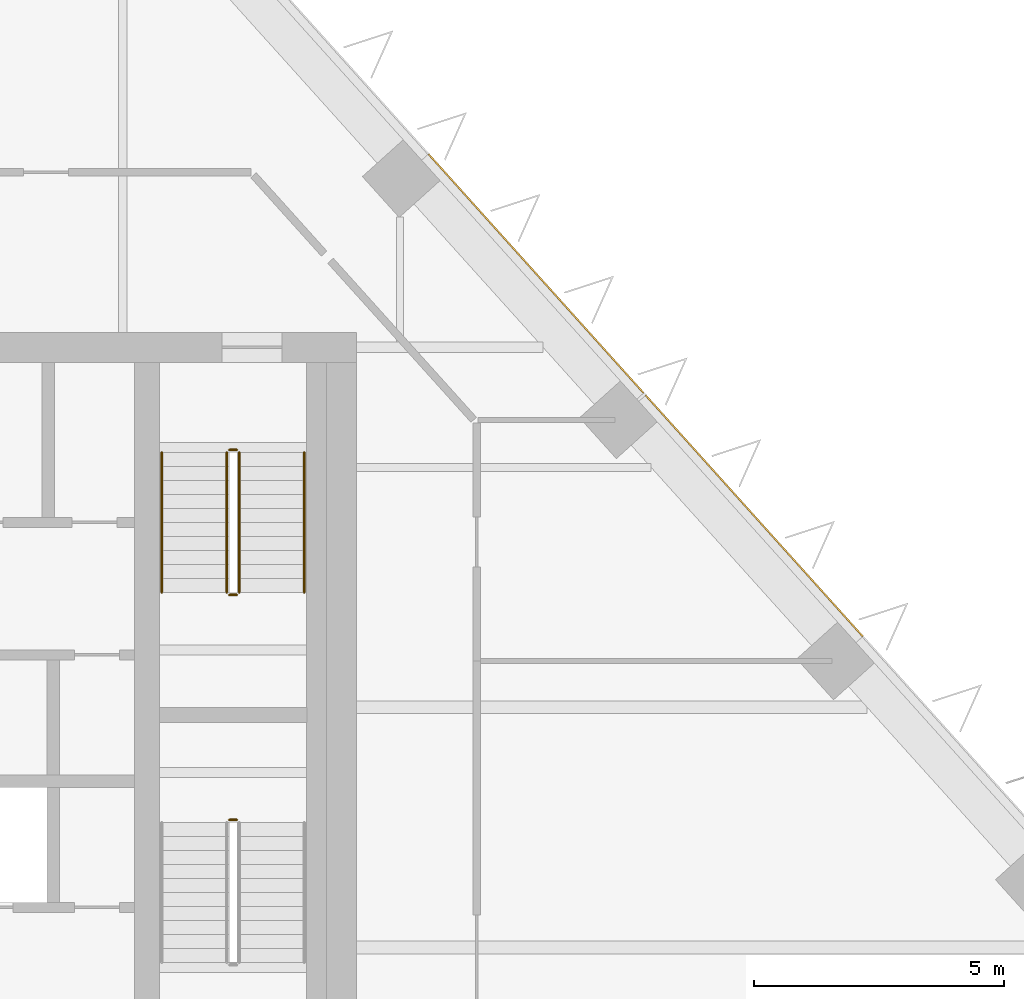
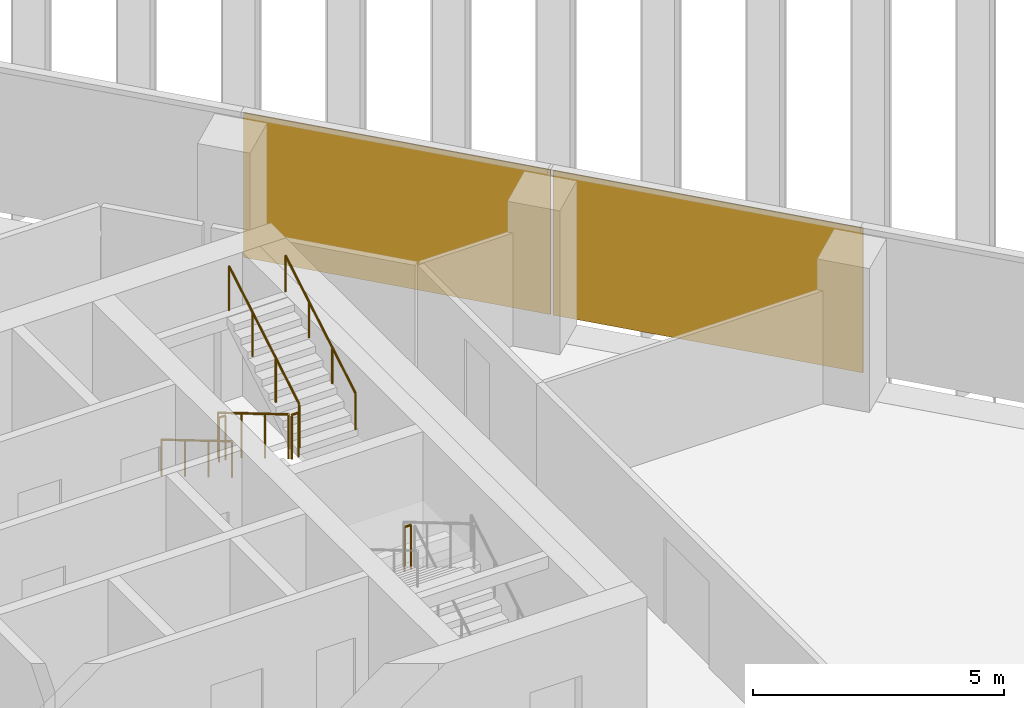
# One storey, part 15 of 18: 7 railings, 2 coverings, 1 element without a shape of its own.
"""IFC4 building model written with IfcOpenShell, lengths in metres."""

from ifc_helpers import new_model, si_unit, direction, frame, origin, origin_2d, place, context, subcontext, project, spatial, rectangle, circle, extrude, material, layer, layer_set, type_object, element, aggregate, save


model = new_model("IFC4")

# Units and contexts
model_context = context("Model", 3, precision=1e-05, world=origin(), true_north=direction((0.0, 1.0)))
body_context = subcontext(model_context, "Body", "Model", "MODEL_VIEW")
ifc_project = project(units=[si_unit("LENGTHUNIT", "METRE"), si_unit("AREAUNIT", "SQUARE_METRE"), si_unit("VOLUMEUNIT", "CUBIC_METRE"), si_unit("PLANEANGLEUNIT", "RADIAN"), si_unit("MASSUNIT", "GRAM", prefix="KILO")], contexts=[model_context])

# Site, building, storey
site_placement = place(None, origin())
site = spatial("IfcSite", under=ifc_project, at=site_placement, CompositionType="ELEMENT")
building_placement = place(site_placement, origin())
building = spatial("IfcBuilding", under=site, at=building_placement, Name="Isthmus Gate Tower", CompositionType="ELEMENT")
storey_placement = place(building_placement, frame((0.0, 0.0, 238.199951171875)))
storey = spatial("IfcBuildingStorey", under=building, at=storey_placement, Name="L60", CompositionType="ELEMENT", Elevation=238.199951171875)

# Curtain wall, coverings
ifc_material_1 = material(Name="Aluminium, pale champagne anodised", Category="aluminium")
ifc_layer_1 = layer(ifc_material_1, 0.199951171875)
ifc_layer_set_1 = layer_set([ifc_layer_1], Name="CW-1 UNITISED CURTAIN WALL 200 DEEP")
curtain_wall_type = type_object("IfcCurtainWallType", Name="CW-1 UNITISED CURTAIN WALL 200 DEEP", PredefinedType="NOTDEFINED", material=ifc_layer_set_1)
curtain_wall_placement = place(storey_placement, origin())
curtain_wall = element("IfcCurtainWall", 1, at=curtain_wall_placement, inside=storey, type_object=curtain_wall_type, Name="CW-1 NE L60", PredefinedType="NOTDEFINED")
ifc_material_2 = material(Name="Aluminium composite panel, pale champagne anodised", Category="aluminium")
ifc_layer_2 = layer(ifc_material_2, 0.031982421875)
ifc_layer_set_2 = layer_set([ifc_layer_2], Name="CW-1 PALE METAL PANEL 32")
covering_type = type_object("IfcCoveringType", Name="CW-1 PALE METAL PANEL 32", PredefinedType="CLADDING", material=ifc_layer_set_2)
covering_1_placement = place(storey_placement, frame((22.950927734375, 11.330810546875, 0.0), z_axis=(0.0, 0.0, 1.0), x_axis=(-0.669130606359, 0.743144825477, 0.0)))
covering_1 = element("IfcCovering", 2, at=covering_1_placement, type_object=covering_type, Name="CW-1 pale metal panel", PredefinedType="CLADDING", context=body_context, shape_type="SweptSolid", body=[
    extrude(rectangle(XDim=6.491943359375, YDim=0.031982421875, at=origin_2d()), origin(), (0.0, 0.0, 1.0), 3.52001953125),
])
covering_2_placement = place(storey_placement, frame((18.5869140625, 16.177734375, 0.0), z_axis=(0.0, 0.0, 1.0), x_axis=(-0.669130606359, 0.743144825477, 0.0)))
covering_2 = element("IfcCovering", 3, at=covering_2_placement, type_object=covering_type, Name="CW-1 pale metal panel", PredefinedType="CLADDING", context=body_context, shape_type="SweptSolid", body=[
    extrude(rectangle(XDim=6.431884765625, YDim=0.031982421875, at=origin_2d()), origin(), (0.0, 0.0, 1.0), 3.52001953125),
])
aggregate(curtain_wall, [covering_1, covering_2])

# Railings
ifc_material_3 = material(Name="Stainless steel balustrade", Category="steel")
railing_type_1 = type_object("IfcRailingType", Name="STAIR GUARD 1100", PredefinedType="GUARDRAIL", material=ifc_material_3)
railing_1_placement = place(storey_placement, frame((12.39990234375, 12.60009765625, 0.166015625)))
element("IfcRailing", 4, at=railing_1_placement, inside=storey, type_object=railing_type_1, Name="L60 ST2 stair guard 1", PredefinedType="GUARDRAIL", context=body_context, shape_type="SweptSolid", body=[
    extrude(circle(Radius=0.02392578125, at=origin_2d()), frame((0.0, 0.0, 1.076171875), z_axis=(0.0, -0.860339051648, 0.50972219513), x_axis=(1.0, 0.0, 0.0)), (0.0, 0.0, 1.0), 3.254638671875),
    extrude(circle(Radius=0.02099609375, at=origin_2d()), origin(), (0.0, 0.0, 1.0), 1.052001953125),
    extrude(circle(Radius=0.02099609375, at=origin_2d()), frame((0.0, -0.933349609375, 0.552978515625)), (0.0, 0.0, 1.0), 1.052001953125),
    extrude(circle(Radius=0.02099609375, at=origin_2d()), frame((0.0, -1.86669921875, 1.10595703125)), (0.0, 0.0, 1.0), 1.052001953125),
    extrude(circle(Radius=0.02099609375, at=origin_2d()), frame((0.0, -2.800048828125, 1.658935546875)), (0.0, 0.0, 1.0), 1.052001953125),
])
railing_2_placement = place(storey_placement, frame((12.449951171875, 9.75, 1.824951171875)))
element("IfcRailing", 5, at=railing_2_placement, inside=storey, type_object=railing_type_1, Name="L60 ST2 stair guard 2", PredefinedType="GUARDRAIL", context=body_context, shape_type="SweptSolid", body=[
    extrude(circle(Radius=0.02392578125, at=origin_2d()), frame((0.0, 0.0, 1.076171875), z_axis=(1.0, 0.0, 0.0), x_axis=(0.0, 1.0, 0.0)), (0.0, 0.0, 1.0), 0.150146484375),
    extrude(circle(Radius=0.02099609375, at=origin_2d()), origin(), (0.0, 0.0, 1.0), 1.052001953125),
    extrude(circle(Radius=0.02099609375, at=origin_2d()), frame((0.150146484375, 0.0, 0.0)), (0.0, 0.0, 1.0), 1.052001953125),
])
railing_3_placement = place(storey_placement, frame((12.64990234375, 9.800048828125, 1.990966796875)))
element("IfcRailing", 6, at=railing_3_placement, inside=storey, type_object=railing_type_1, Name="L60 ST2 stair guard 3", PredefinedType="GUARDRAIL", context=body_context, shape_type="SweptSolid", body=[
    extrude(circle(Radius=0.02392578125, at=origin_2d()), frame((0.0, 0.0, 1.076171875), z_axis=(0.0, 0.860306154799, 0.50977771628), x_axis=(-1.0, 0.0, 0.0)), (0.0, 0.0, 1.0), 3.254638671875),
    extrude(circle(Radius=0.02099609375, at=origin_2d()), origin(), (0.0, 0.0, 1.0), 1.052001953125),
    extrude(circle(Radius=0.02099609375, at=origin_2d()), frame((0.0, 0.933349609375, 0.552978515625)), (0.0, 0.0, 1.0), 1.052001953125),
    extrude(circle(Radius=0.02099609375, at=origin_2d()), frame((0.0, 1.86669921875, 1.106201171875)), (0.0, 0.0, 1.0), 1.052001953125),
    extrude(circle(Radius=0.02099609375, at=origin_2d()), frame((0.0, 2.800048828125, 1.6591796875)), (0.0, 0.0, 1.0), 1.052001953125),
])
railing_4_placement = place(storey_placement, frame((12.449951171875, 12.64990234375, 0.0)))
element("IfcRailing", 7, at=railing_4_placement, inside=storey, type_object=railing_type_1, Name="L60 ST2 stair guard 4", PredefinedType="GUARDRAIL", context=body_context, shape_type="SweptSolid", body=[
    extrude(circle(Radius=0.02392578125, at=origin_2d()), frame((0.0, 0.0, 1.076171875), z_axis=(1.0, 0.0, 0.0), x_axis=(0.0, 1.0, 0.0)), (0.0, 0.0, 1.0), 0.150146484375),
    extrude(circle(Radius=0.02099609375, at=origin_2d()), origin(), (0.0, 0.0, 1.0), 1.052001953125),
    extrude(circle(Radius=0.02099609375, at=origin_2d()), frame((0.150146484375, 0.0, 0.0)), (0.0, 0.0, 1.0), 1.052001953125),
])
railing_5_placement = place(storey_placement, frame((12.60009765625, 5.25, 1.824951171875)))
element("IfcRailing", 8, at=railing_5_placement, inside=storey, type_object=railing_type_1, Name="L60 ST8 stair guard 2", PredefinedType="GUARDRAIL", context=body_context, shape_type="SweptSolid", body=[
    extrude(circle(Radius=0.02392578125, at=origin_2d()), frame((0.0, 0.0, 1.076171875), z_axis=(-1.0, 0.0, 0.0), x_axis=(0.0, -1.0, 0.0)), (0.0, 0.0, 1.0), 0.150146484375),
    extrude(circle(Radius=0.02099609375, at=origin_2d()), origin(), (0.0, 0.0, 1.0), 1.052001953125),
    extrude(circle(Radius=0.02099609375, at=origin_2d()), frame((-0.150146484375, 0.0, 0.0)), (0.0, 0.0, 1.0), 1.052001953125),
])
ifc_material_4 = material(Name="Stainless steel handrail", Category="steel")
railing_type_2 = type_object("IfcRailingType", Name="STAIR HANDRAIL 900", PredefinedType="HANDRAIL", material=ifc_material_4)
railing_6_placement = place(storey_placement, frame((11.10009765625, 12.60009765625, 0.166015625)))
element("IfcRailing", 9, at=railing_6_placement, inside=storey, type_object=railing_type_2, Name="L60 ST2 stair handrail 1", PredefinedType="HANDRAIL", context=body_context, shape_type="SweptSolid", body=[
    extrude(circle(Radius=0.02392578125, at=origin_2d()), frame((0.0, 0.0, 0.8759765625), z_axis=(0.0, -0.860339051648, 0.50972219513), x_axis=(1.0, 0.0, 0.0)), (0.0, 0.0, 1.0), 3.254638671875),
    extrude(circle(Radius=0.02099609375, at=origin_2d()), origin(), (0.0, 0.0, 1.0), 0.851806640625),
    extrude(circle(Radius=0.02099609375, at=origin_2d()), frame((0.0, -0.933349609375, 0.552978515625)), (0.0, 0.0, 1.0), 0.851806640625),
    extrude(circle(Radius=0.02099609375, at=origin_2d()), frame((0.0, -1.86669921875, 1.10595703125)), (0.0, 0.0, 1.0), 0.851806640625),
    extrude(circle(Radius=0.02099609375, at=origin_2d()), frame((0.0, -2.800048828125, 1.658935546875)), (0.0, 0.0, 1.0), 0.851806640625),
])
railing_7_placement = place(storey_placement, frame((13.949951171875, 9.800048828125, 1.990966796875)))
element("IfcRailing", 10, at=railing_7_placement, inside=storey, type_object=railing_type_2, Name="L60 ST2 stair handrail 2", PredefinedType="HANDRAIL", context=body_context, shape_type="SweptSolid", body=[
    extrude(circle(Radius=0.02392578125, at=origin_2d()), frame((0.0, 0.0, 0.8759765625), z_axis=(0.0, 0.860306154799, 0.50977771628), x_axis=(-1.0, 0.0, 0.0)), (0.0, 0.0, 1.0), 3.254638671875),
    extrude(circle(Radius=0.02099609375, at=origin_2d()), origin(), (0.0, 0.0, 1.0), 0.851806640625),
    extrude(circle(Radius=0.02099609375, at=origin_2d()), frame((0.0, 0.933349609375, 0.552978515625)), (0.0, 0.0, 1.0), 0.851806640625),
    extrude(circle(Radius=0.02099609375, at=origin_2d()), frame((0.0, 1.86669921875, 1.106201171875)), (0.0, 0.0, 1.0), 0.851806640625),
    extrude(circle(Radius=0.02099609375, at=origin_2d()), frame((0.0, 2.800048828125, 1.6591796875)), (0.0, 0.0, 1.0), 0.851806640625),
])

save(model, "model.ifc")
